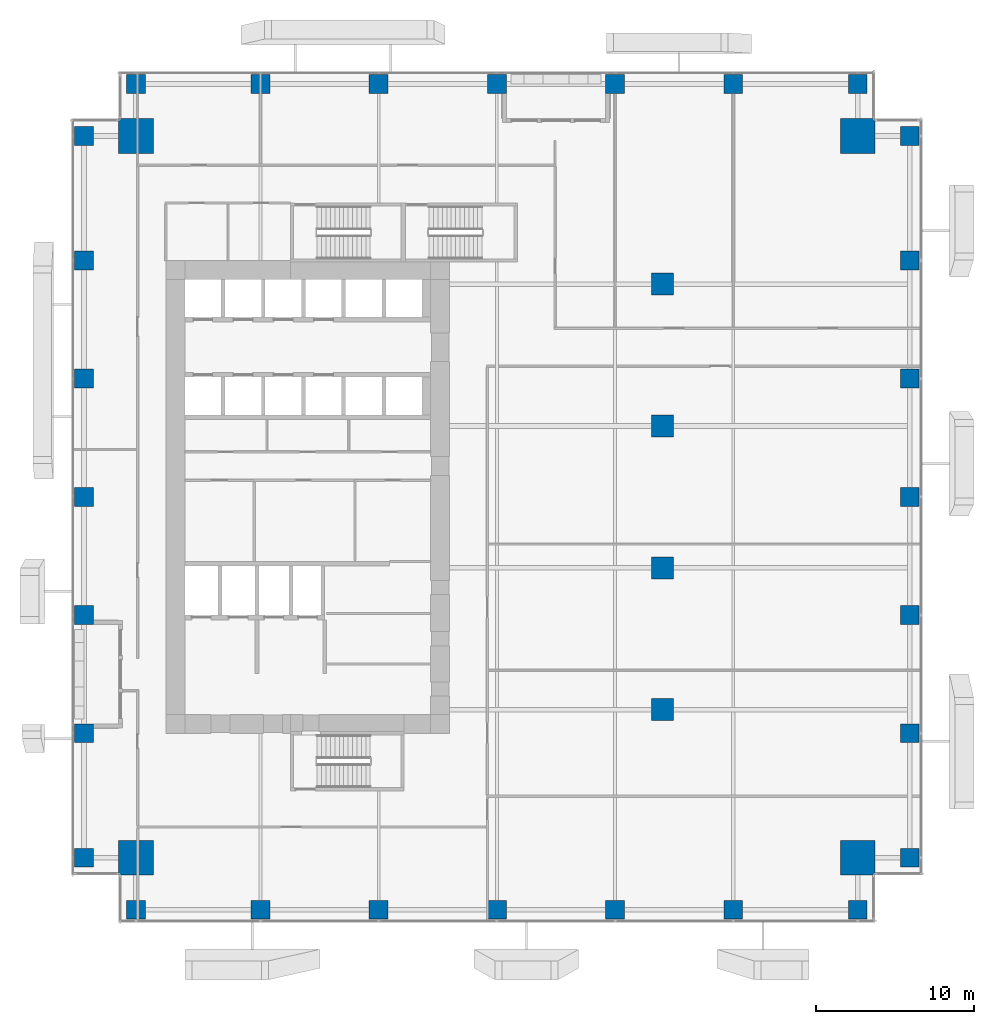
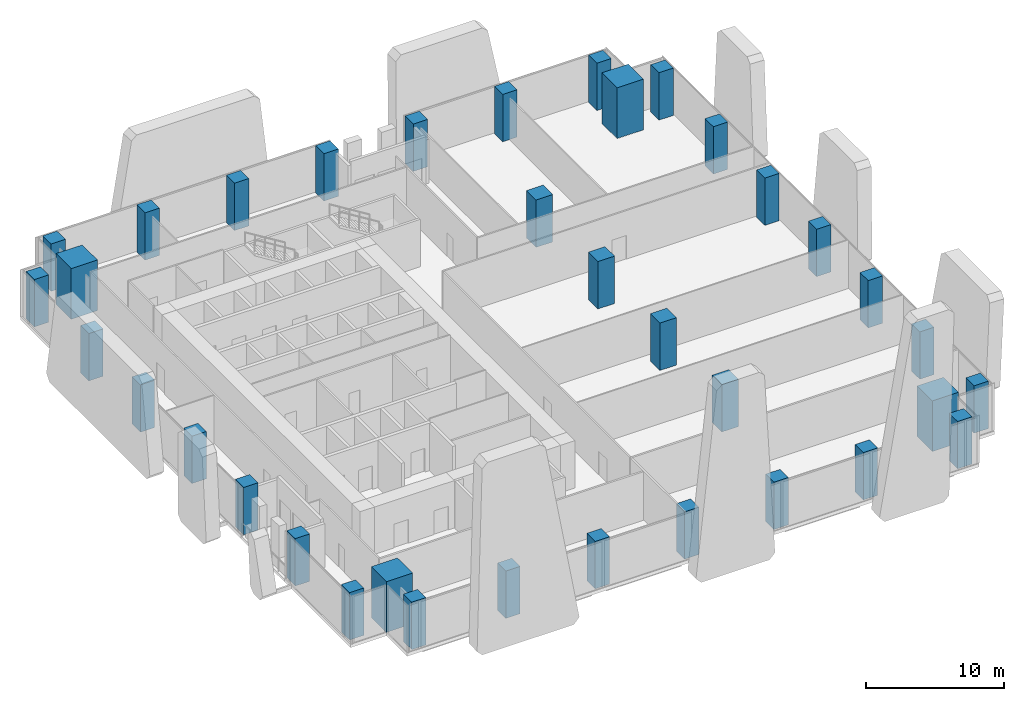
# One storey, part 1 of 34: 36 columns.
"""IFC4 building model written with IfcOpenShell, lengths in metres."""

from ifc_helpers import new_model, si_unit, direction, frame, origin, origin_2d, place, context, subcontext, project, spatial, rectangle, extrude, source, transform, mapped, material, material_profile, profile_set, type_object, element, save


model = new_model("IFC4")

# Units and contexts
model_context = context("Model", 3, precision=1e-05, world=origin(), true_north=direction((0.0, 1.0)))
body_context = subcontext(model_context, "Body", "Model", "MODEL_VIEW")
ifc_project = project(units=[si_unit("LENGTHUNIT", "METRE"), si_unit("AREAUNIT", "SQUARE_METRE"), si_unit("VOLUMEUNIT", "CUBIC_METRE"), si_unit("PLANEANGLEUNIT", "RADIAN"), si_unit("MASSUNIT", "GRAM", prefix="KILO")], contexts=[model_context])

# Site, building, storey
site_placement = place(None, origin())
site = spatial("IfcSite", under=ifc_project, at=site_placement, CompositionType="ELEMENT")
building_placement = place(site_placement, origin())
building = spatial("IfcBuilding", under=site, at=building_placement, Name="Khomas Fold Tower", CompositionType="ELEMENT")
storey_placement = place(building_placement, frame((0.0, 0.0, 51.0)))
storey = spatial("IfcBuildingStorey", under=building, at=storey_placement, Name="L10", CompositionType="ELEMENT", Elevation=51.0)

# Columns
ifc_material_1 = material(Name="Concrete C70/85", Category="concrete")
ifc_material_profile_1 = material_profile(ifc_material_1, rectangle(XDim=2.199951171875, YDim=2.199951171875, at=origin_2d()), Name="RC 2200x2200")
ifc_profile_set_1 = profile_set([ifc_material_profile_1], Name="Concrete C70/85")
column_type_1 = type_object("IfcColumnType", Name="RC 2200x2200 column", PredefinedType="COLUMN", material=ifc_profile_set_1)
shared_shape_1 = source(origin(), body_context, "Body", "SweptSolid", [
    extrude(rectangle(XDim=2.199951171875, YDim=2.199951171875, at=origin_2d()), origin(), (0.0, 0.0, 1.0), 4.5),
])
for number, where, z_axis, x_axis, name in (
    (1, (49.89990234375, 49.89990234375, 0.0), (0.0, 0.0, 1.0), (1.0, 0.0, 0.0), "CM-NE"),
    (2, (4.10009765625, 49.89990234375, 0.0), (0.0, 0.0, 1.0), (1.0, 0.0, 0.0), "CM-NW"),
    (3, (49.89990234375, 4.10009765625, 0.0), (0.0, 0.0, 1.0), (1.0, 0.0, 0.0), "CM-SE"),
    (4, (4.10009765625, 4.10009765625, 0.0), (0.0, 0.0, 1.0), (1.0, 0.0, 0.0), "CM-SW"),
):
    element("IfcColumn", number, at=place(storey_placement, frame(where, z_axis=z_axis, x_axis=x_axis)), inside=storey, type_object=column_type_1, Name=name, PredefinedType="COLUMN", context=body_context, shape_type="MappedRepresentation", body=[
        mapped(shared_shape_1, transform((0.0, 0.0, 0.0))),
    ])
ifc_material_2 = material(Name="Concrete C60/75", Category="concrete")
ifc_material_profile_2 = material_profile(ifc_material_2, rectangle(XDim=1.199951171875, YDim=1.199951171875, at=origin_2d()), Name="RC 1200x1200")
ifc_profile_set_2 = profile_set([ifc_material_profile_2], Name="Concrete C60/75")
column_type_2 = type_object("IfcColumnType", Name="RC 1200x1200 column", PredefinedType="COLUMN", material=ifc_profile_set_2)
shared_shape_2 = source(origin(), body_context, "Body", "SweptSolid", [
    extrude(rectangle(XDim=1.199951171875, YDim=1.199951171875, at=origin_2d()), origin(), (0.0, 0.0, 1.0), 4.199951171875),
])
for number, where, z_axis, x_axis, name in (
    (5, (4.10009765625, 0.800048828125, 0.0), (0.0, 0.0, 1.0), (1.0, 0.0, 0.0), "C-2-SF1"),
    (6, (12.0, 0.800048828125, 0.0), (0.0, 0.0, 1.0), (1.0, 0.0, 0.0), "C-6-SF1"),
    (7, (19.5, 0.800048828125, 0.0), (0.0, 0.0, 1.0), (1.0, 0.0, 0.0), "C-8-SF1"),
    (8, (27.0, 0.800048828125, 0.0), (0.0, 0.0, 1.0), (1.0, 0.0, 0.0), "C-9-SF1"),
    (9, (34.5, 0.800048828125, 0.0), (0.0, 0.0, 1.0), (1.0, 0.0, 0.0), "C-10-SF1"),
    (10, (42.0, 0.800048828125, 0.0), (0.0, 0.0, 1.0), (1.0, 0.0, 0.0), "C-13-SF1"),
    (11, (49.89990234375, 0.800048828125, 0.0), (0.0, 0.0, 1.0), (1.0, 0.0, 0.0), "C-17-SF1"),
    (12, (53.199951171875, 4.10009765625, 0.0), (0.0, 0.0, 1.0), (1.0, 0.0, 0.0), "C-E1-A"),
    (13, (53.199951171875, 12.0, 0.0), (0.0, 0.0, 1.0), (1.0, 0.0, 0.0), "C-E1-F"),
    (14, (53.199951171875, 19.5, 0.0), (0.0, 0.0, 1.0), (1.0, 0.0, 0.0), "C-E1-J"),
    (15, (53.199951171875, 27.0, 0.0), (0.0, 0.0, 1.0), (1.0, 0.0, 0.0), "C-E1-L"),
    (16, (53.199951171875, 34.5, 0.0), (0.0, 0.0, 1.0), (1.0, 0.0, 0.0), "C-E1-N"),
    (17, (53.199951171875, 42.0, 0.0), (0.0, 0.0, 1.0), (1.0, 0.0, 0.0), "C-E1-R"),
    (18, (53.199951171875, 49.89990234375, 0.0), (0.0, 0.0, 1.0), (1.0, 0.0, 0.0), "C-E1-W"),
    (19, (4.10009765625, 53.199951171875, 0.0), (0.0, 0.0, 1.0), (1.0, 0.0, 0.0), "C-2-NF1"),
    (20, (12.0, 53.199951171875, 0.0), (0.0, 0.0, 1.0), (1.0, 0.0, 0.0), "C-6-NF1"),
    (21, (19.5, 53.199951171875, 0.0), (0.0, 0.0, 1.0), (1.0, 0.0, 0.0), "C-8-NF1"),
    (22, (27.0, 53.199951171875, 0.0), (0.0, 0.0, 1.0), (1.0, 0.0, 0.0), "C-9-NF1"),
    (23, (34.5, 53.199951171875, 0.0), (0.0, 0.0, 1.0), (1.0, 0.0, 0.0), "C-10-NF1"),
    (24, (42.0, 53.199951171875, 0.0), (0.0, 0.0, 1.0), (1.0, 0.0, 0.0), "C-13-NF1"),
    (25, (49.89990234375, 53.199951171875, 0.0), (0.0, 0.0, 1.0), (1.0, 0.0, 0.0), "C-17-NF1"),
    (26, (0.800048828125, 4.10009765625, 0.0), (0.0, 0.0, 1.0), (1.0, 0.0, 0.0), "C-W1-A"),
    (27, (0.800048828125, 12.0, 0.0), (0.0, 0.0, 1.0), (1.0, 0.0, 0.0), "C-W1-F"),
    (28, (0.800048828125, 19.5, 0.0), (0.0, 0.0, 1.0), (1.0, 0.0, 0.0), "C-W1-J"),
    (29, (0.800048828125, 27.0, 0.0), (0.0, 0.0, 1.0), (1.0, 0.0, 0.0), "C-W1-L"),
    (30, (0.800048828125, 34.5, 0.0), (0.0, 0.0, 1.0), (1.0, 0.0, 0.0), "C-W1-N"),
    (31, (0.800048828125, 42.0, 0.0), (0.0, 0.0, 1.0), (1.0, 0.0, 0.0), "C-W1-R"),
    (32, (0.800048828125, 49.89990234375, 0.0), (0.0, 0.0, 1.0), (1.0, 0.0, 0.0), "C-W1-W"),
):
    element("IfcColumn", number, at=place(storey_placement, frame(where, z_axis=z_axis, x_axis=x_axis)), inside=storey, type_object=column_type_2, Name=name, PredefinedType="COLUMN", context=body_context, shape_type="MappedRepresentation", body=[
        mapped(shared_shape_2, transform((0.0, 0.0, 0.0))),
    ])
ifc_material_3 = material(Name="Concrete C60/75", Category="concrete")
ifc_material_profile_3 = material_profile(ifc_material_3, rectangle(XDim=1.39990234375, YDim=1.39990234375, at=origin_2d()), Name="RC 1400x1400")
ifc_profile_set_3 = profile_set([ifc_material_profile_3], Name="Concrete C60/75")
column_type_3 = type_object("IfcColumnType", Name="RC 1400x1400 column", PredefinedType="COLUMN", material=ifc_profile_set_3)
shared_shape_3 = source(origin(), body_context, "Body", "SweptSolid", [
    extrude(rectangle(XDim=1.39990234375, YDim=1.39990234375, at=origin_2d()), origin(), (0.0, 0.0, 1.0), 4.199951171875),
])
for number, where, z_axis, x_axis, name in (
    (33, (37.5, 13.5, 0.0), (0.0, 0.0, 1.0), (1.0, 0.0, 0.0), "C-11-H"),
    (34, (37.5, 22.5, 0.0), (0.0, 0.0, 1.0), (1.0, 0.0, 0.0), "C-11-K"),
    (35, (37.5, 31.5, 0.0), (0.0, 0.0, 1.0), (1.0, 0.0, 0.0), "C-11-M"),
    (36, (37.5, 40.5, 0.0), (0.0, 0.0, 1.0), (1.0, 0.0, 0.0), "C-11-P"),
):
    element("IfcColumn", number, at=place(storey_placement, frame(where, z_axis=z_axis, x_axis=x_axis)), inside=storey, type_object=column_type_3, Name=name, PredefinedType="COLUMN", context=body_context, shape_type="MappedRepresentation", body=[
        mapped(shared_shape_3, transform((0.0, 0.0, 0.0))),
    ])

save(model, "model.ifc")
